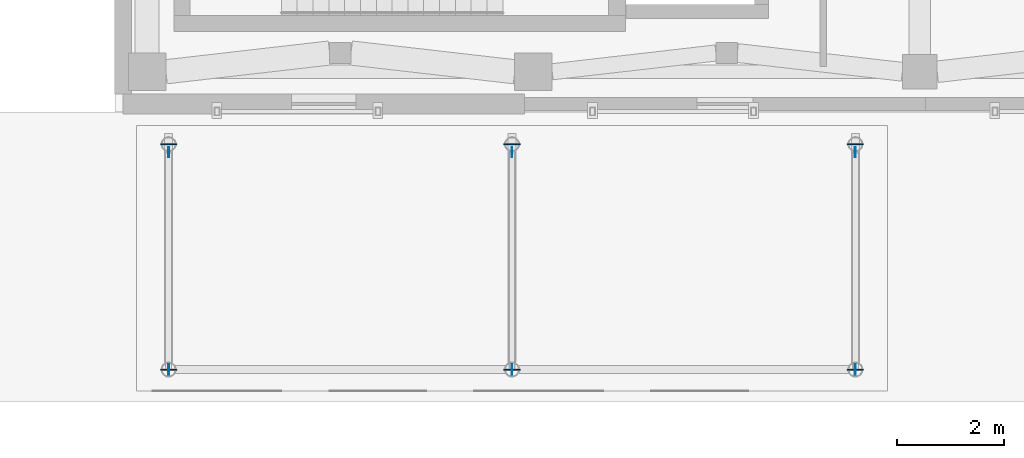
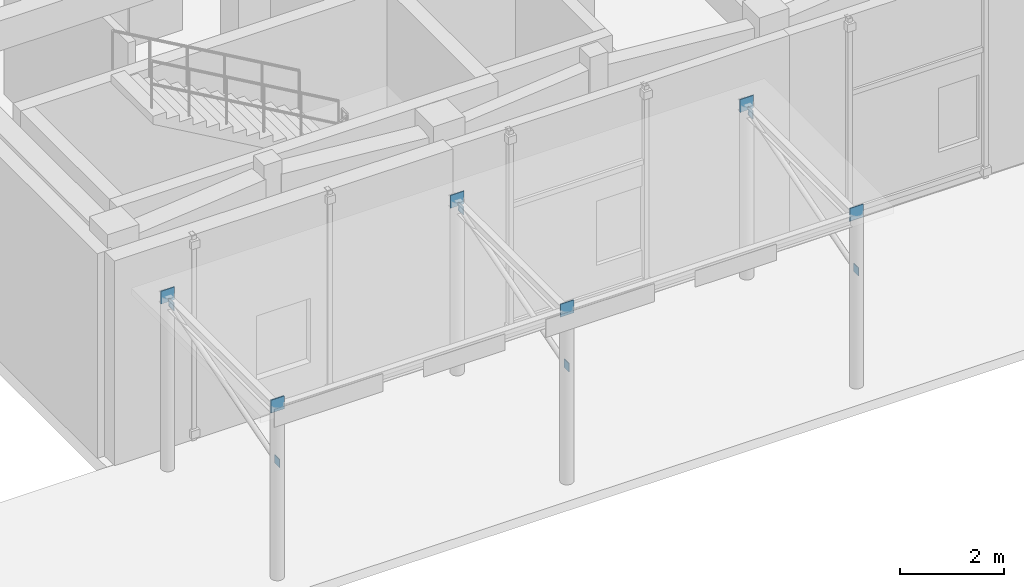
# One storey, part 89 of 121: 12 plates.
"""IFC4 building model written with IfcOpenShell, lengths in metres."""

from ifc_helpers import new_model, si_unit, direction, frame, origin, origin_2d, place, context, subcontext, project, spatial, rectangle, extrude, material, layer, layer_set, type_object, element, save


model = new_model("IFC4")

# Units and contexts
model_context = context("Model", 3, precision=1e-05, world=origin(), true_north=direction((0.0, 1.0)))
body_context = subcontext(model_context, "Body", "Model", "MODEL_VIEW")
ifc_project = project(units=[si_unit("LENGTHUNIT", "METRE"), si_unit("AREAUNIT", "SQUARE_METRE"), si_unit("VOLUMEUNIT", "CUBIC_METRE"), si_unit("PLANEANGLEUNIT", "RADIAN"), si_unit("MASSUNIT", "GRAM", prefix="KILO")], contexts=[model_context])

# Site, building, storey
site_placement = place(None, origin())
site = spatial("IfcSite", under=ifc_project, at=site_placement, CompositionType="ELEMENT")
building_placement = place(site_placement, origin())
building = spatial("IfcBuilding", under=site, at=building_placement, Name="Valcora Specialist Clinic", CompositionType="ELEMENT")
storey_placement = place(building_placement, origin())
storey = spatial("IfcBuildingStorey", under=building, at=storey_placement, Name="L00", CompositionType="ELEMENT", Elevation=0.0)

# Plates
ifc_material = material(Name="Steel ASTM A572 Grade 50", Category="steel")
ifc_layer_1 = layer(ifc_material, 0.01611328125)
ifc_layer_set_1 = layer_set([ifc_layer_1], Name="Steel ASTM A572 Grade 50")
plate_type_1 = type_object("IfcPlateType", Name="TY-PL-EC168", PredefinedType="USERDEFINED", material=ifc_layer_set_1)
for number, where, z_axis, x_axis, name in (
    (1, (16.60009765625, -4.800048828125, 2.60498046875), (0.0, 0.0, 1.0), (0.0, 1.0, 0.0), "Canopy strut lower clevis plate 1"),
    (2, (16.60009765625, -0.75, 3.81396484375), (0.0, 0.0, 1.0), (0.0, 1.0, 0.0), "Canopy strut upper clevis plate 1"),
    (3, (23.0, -4.800048828125, 2.60498046875), (0.0, 0.0, 1.0), (0.0, 1.0, 0.0), "Canopy strut lower clevis plate 2"),
    (4, (23.0, -0.75, 3.81396484375), (0.0, 0.0, 1.0), (0.0, 1.0, 0.0), "Canopy strut upper clevis plate 2"),
    (5, (29.39990234375, -4.800048828125, 2.60498046875), (0.0, 0.0, 1.0), (0.0, 1.0, 0.0), "Canopy strut lower clevis plate 3"),
    (6, (29.39990234375, -0.75, 3.81396484375), (0.0, 0.0, 1.0), (0.0, 1.0, 0.0), "Canopy strut upper clevis plate 3"),
):
    element("IfcPlate", number, at=place(storey_placement, frame(where, z_axis=z_axis, x_axis=x_axis)), inside=storey, type_object=plate_type_1, Name=name, ObjectType="FLANGE_PLATE", PredefinedType="USERDEFINED", context=body_context, shape_type="SweptSolid", body=[
        extrude(rectangle(XDim=0.18994140625, YDim=0.01611328125, at=origin_2d()), origin(), (0.0, 0.0, 1.0), 0.18994140625),
    ])
ifc_layer_2 = layer(ifc_material, 0.02001953125)
ifc_layer_set_2 = layer_set([ifc_layer_2], Name="Steel ASTM A572 Grade 50")
plate_type_2 = type_object("IfcPlateType", Name="TY-PL-EC273", PredefinedType="USERDEFINED", material=ifc_layer_set_2)
for number, where, z_axis, x_axis, name in (
    (7, (16.60009765625, -4.800048828125, 3.8798828125), (0.0, 0.0, 1.0), (1.0, 0.0, 0.0), "Column end-cap plate COL-L00-1008"),
    (8, (16.60009765625, -0.60009765625, 3.8798828125), (0.0, 0.0, 1.0), (1.0, 0.0, 0.0), "Column end-cap plate COL-L00-1010"),
    (9, (23.0, -4.800048828125, 3.8798828125), (0.0, 0.0, 1.0), (1.0, 0.0, 0.0), "Column end-cap plate COL-L00-1012"),
    (10, (23.0, -0.60009765625, 3.8798828125), (0.0, 0.0, 1.0), (1.0, 0.0, 0.0), "Column end-cap plate COL-L00-1014"),
    (11, (29.39990234375, -4.800048828125, 3.8798828125), (0.0, 0.0, 1.0), (1.0, 0.0, 0.0), "Column end-cap plate COL-L00-1016"),
    (12, (29.39990234375, -0.60009765625, 3.8798828125), (0.0, 0.0, 1.0), (1.0, 0.0, 0.0), "Column end-cap plate COL-L00-1018"),
):
    element("IfcPlate", number, at=place(storey_placement, frame(where, z_axis=z_axis, x_axis=x_axis)), inside=storey, type_object=plate_type_2, Name=name, ObjectType="FLANGE_PLATE", PredefinedType="USERDEFINED", context=body_context, shape_type="SweptSolid", body=[
        extrude(rectangle(XDim=0.300048828125, YDim=0.02001953125, at=origin_2d()), origin(), (0.0, 0.0, 1.0), 0.300048828125),
    ])

save(model, "model.ifc")
